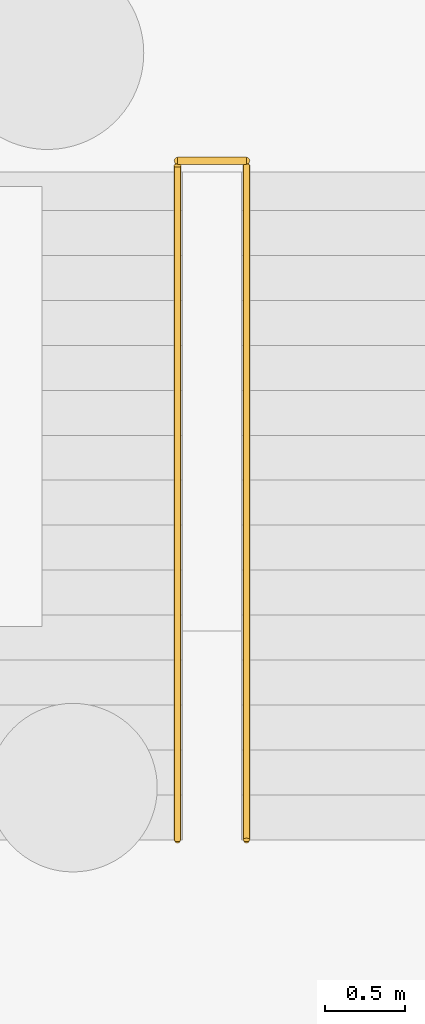
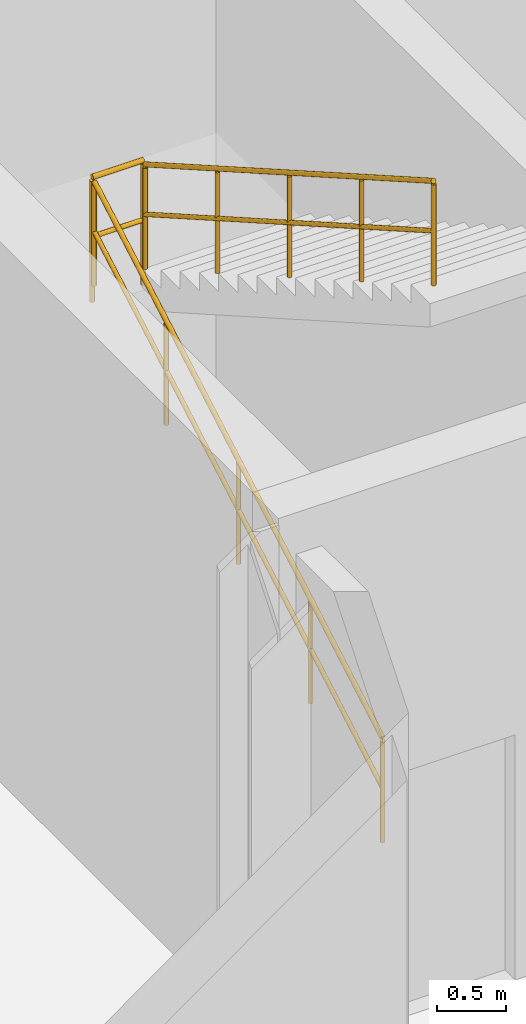
# One storey, part 29 of 32: 3 railings.
"""IFC4 building model written with IfcOpenShell, lengths in metres."""

from ifc_helpers import new_model, si_unit, direction, frame, origin_with_axes, origin_2d_with_axis, place, context, subcontext, project, spatial, circle, extrude, material, type_object, element, save


model = new_model("IFC4")

# Units and contexts
model_context = context("Model", 3, precision=1e-05, world=origin_with_axes(), true_north=direction((0.0, 1.0)))
body_context = subcontext(model_context, "Body", "Model", "MODEL_VIEW")
ifc_project = project(units=[si_unit("LENGTHUNIT", "METRE"), si_unit("AREAUNIT", "SQUARE_METRE"), si_unit("VOLUMEUNIT", "CUBIC_METRE"), si_unit("PLANEANGLEUNIT", "RADIAN"), si_unit("MASSUNIT", "GRAM", prefix="KILO"), si_unit("THERMODYNAMICTEMPERATUREUNIT", "KELVIN")], contexts=[model_context])

# Site, building, storey
site_placement = place(None, origin_with_axes())
site = spatial("IfcSite", under=ifc_project, at=site_placement, CompositionType="ELEMENT")
building_placement = place(site_placement, origin_with_axes())
building = spatial("IfcBuilding", under=site, at=building_placement, Name="Montbau Bow Law Courts", CompositionType="ELEMENT")
storey_placement = place(building_placement, frame((0.0, 0.0, -4.8), z_axis=(0.0, 0.0, 1.0), x_axis=(1.0, 0.0, 0.0)))
storey = spatial("IfcBuildingStorey", under=building, at=storey_placement, Name="B1", CompositionType="ELEMENT", Elevation=-4.8)

# Railings
ifc_material_1 = material(Name="Architectural Bronze-Finished Steel Stair Guard", Category="steel")
railing_type_1 = type_object("IfcRailingType", Name="RL-GRD-1100", PredefinedType="GUARDRAIL", material=ifc_material_1)
railing_1_placement = place(None, origin_with_axes())
element("IfcRailing", 1, at=railing_1_placement, inside=storey, type_object=railing_type_1, Name="SG-ST-P3-B1-ML:rlg_0129", PredefinedType="GUARDRAIL", context=body_context, shape_type="SweptSolid", body=[
    extrude(circle(Radius=0.0225, at=origin_2d_with_axis()), frame((82.61, 52.53, -1.298), z_axis=(1.0, 0.0, 0.0), x_axis=(0.0, 0.0, 1.0)), (0.0, 0.0, 1.0), 0.43),
    extrude(circle(Radius=0.02025, at=origin_2d_with_axis()), frame((82.61, 52.53, -1.828), z_axis=(1.0, 0.0, 0.0), x_axis=(0.0, 0.0, 1.0)), (0.0, 0.0, 1.0), 0.43),
    extrude(circle(Radius=0.02025, at=origin_2d_with_axis()), frame((82.61, 52.53, -2.4), z_axis=(0.0, 0.0, 1.0), x_axis=(1.0, 0.0, 0.0)), (0.0, 0.0, 1.0), 1.07525),
    extrude(circle(Radius=0.02025, at=origin_2d_with_axis()), frame((83.04, 52.53, -2.4), z_axis=(0.0, 0.0, 1.0), x_axis=(1.0, 0.0, 0.0)), (0.0, 0.0, 1.0), 1.07525),
])
ifc_material_2 = material(Name="White-Oak and Stainless Continuous Stair Handrail", Category="steel")
railing_type_2 = type_object("IfcRailingType", Name="RL-HND-0920", PredefinedType="HANDRAIL", material=ifc_material_2)
railing_2_placement = place(None, origin_with_axes())
element("IfcRailing", 2, at=railing_2_placement, inside=storey, type_object=railing_type_2, Name="HR-ST-P3-B1-1:rlg_0130", PredefinedType="HANDRAIL", context=body_context, shape_type="SweptSolid", body=[
    extrude(circle(Radius=0.021, at=origin_2d_with_axis()), frame((82.61, 48.3, -3.718), z_axis=(0.0, 0.868243142, 0.496138938), x_axis=(0.0, -0.496138938, 0.868243142)), (0.0, 0.0, 1.0), 4.837355),
    extrude(circle(Radius=0.0189, at=origin_2d_with_axis()), frame((82.61, 48.3, -4.1616), z_axis=(0.0, 0.868243142, 0.496138938), x_axis=(0.0, -0.496138938, 0.868243142)), (0.0, 0.0, 1.0), 4.837355),
    extrude(circle(Radius=0.0189, at=origin_2d_with_axis()), frame((82.61, 48.3, -4.64), z_axis=(0.0, 0.0, 1.0), x_axis=(1.0, 0.0, 0.0)), (0.0, 0.0, 1.0), 0.8969),
    extrude(circle(Radius=0.0189, at=origin_2d_with_axis()), frame((82.61, 49.35, -4.04), z_axis=(0.0, 0.0, 1.0), x_axis=(1.0, 0.0, 0.0)), (0.0, 0.0, 1.0), 0.8969),
    extrude(circle(Radius=0.0189, at=origin_2d_with_axis()), frame((82.61, 50.4, -3.44), z_axis=(0.0, 0.0, 1.0), x_axis=(1.0, 0.0, 0.0)), (0.0, 0.0, 1.0), 0.8969),
    extrude(circle(Radius=0.0189, at=origin_2d_with_axis()), frame((82.61, 51.45, -2.84), z_axis=(0.0, 0.0, 1.0), x_axis=(1.0, 0.0, 0.0)), (0.0, 0.0, 1.0), 0.8969),
    extrude(circle(Radius=0.0189, at=origin_2d_with_axis()), frame((82.61, 52.5, -2.24), z_axis=(0.0, 0.0, 1.0), x_axis=(1.0, 0.0, 0.0)), (0.0, 0.0, 1.0), 0.8969),
])
railing_3_placement = place(None, origin_with_axes())
element("IfcRailing", 3, at=railing_3_placement, inside=storey, type_object=railing_type_2, Name="HR-ST-P3-B1-2:rlg_0131", PredefinedType="HANDRAIL", context=body_context, shape_type="SweptSolid", body=[
    extrude(circle(Radius=0.021, at=origin_2d_with_axis()), frame((83.04, 52.5, -1.318), z_axis=(0.0, -0.868243142, 0.496138938), x_axis=(0.0, 0.496138938, 0.868243142)), (0.0, 0.0, 1.0), 4.837355),
    extrude(circle(Radius=0.0189, at=origin_2d_with_axis()), frame((83.04, 52.5, -1.7616), z_axis=(0.0, -0.868243142, 0.496138938), x_axis=(0.0, 0.496138938, 0.868243142)), (0.0, 0.0, 1.0), 4.837355),
    extrude(circle(Radius=0.0189, at=origin_2d_with_axis()), frame((83.04, 52.5, -2.24), z_axis=(0.0, 0.0, 1.0), x_axis=(1.0, 0.0, 0.0)), (0.0, 0.0, 1.0), 0.8969),
    extrude(circle(Radius=0.0189, at=origin_2d_with_axis()), frame((83.04, 51.45, -1.64), z_axis=(0.0, 0.0, 1.0), x_axis=(1.0, 0.0, 0.0)), (0.0, 0.0, 1.0), 0.8969),
    extrude(circle(Radius=0.0189, at=origin_2d_with_axis()), frame((83.04, 50.4, -1.04), z_axis=(0.0, 0.0, 1.0), x_axis=(1.0, 0.0, 0.0)), (0.0, 0.0, 1.0), 0.8969),
    extrude(circle(Radius=0.0189, at=origin_2d_with_axis()), frame((83.04, 49.35, -0.44), z_axis=(0.0, 0.0, 1.0), x_axis=(1.0, 0.0, 0.0)), (0.0, 0.0, 1.0), 0.8969),
    extrude(circle(Radius=0.0189, at=origin_2d_with_axis()), frame((83.04, 48.3, 0.16), z_axis=(0.0, 0.0, 1.0), x_axis=(1.0, 0.0, 0.0)), (0.0, 0.0, 1.0), 0.8969),
])

save(model, "model.ifc")
